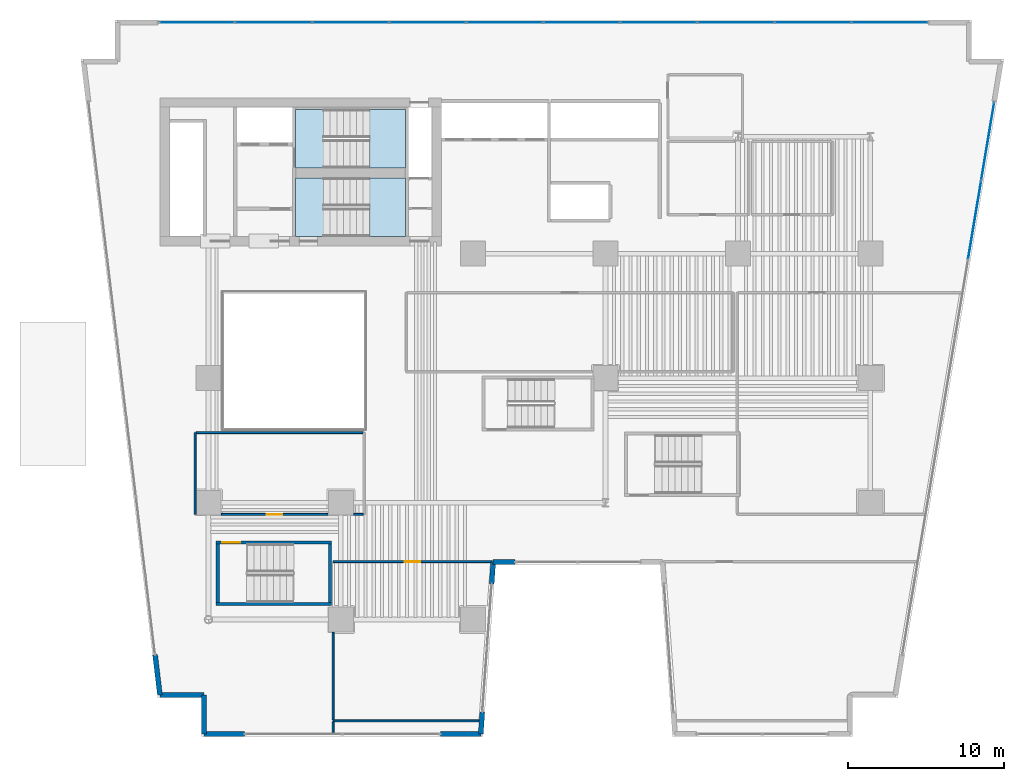
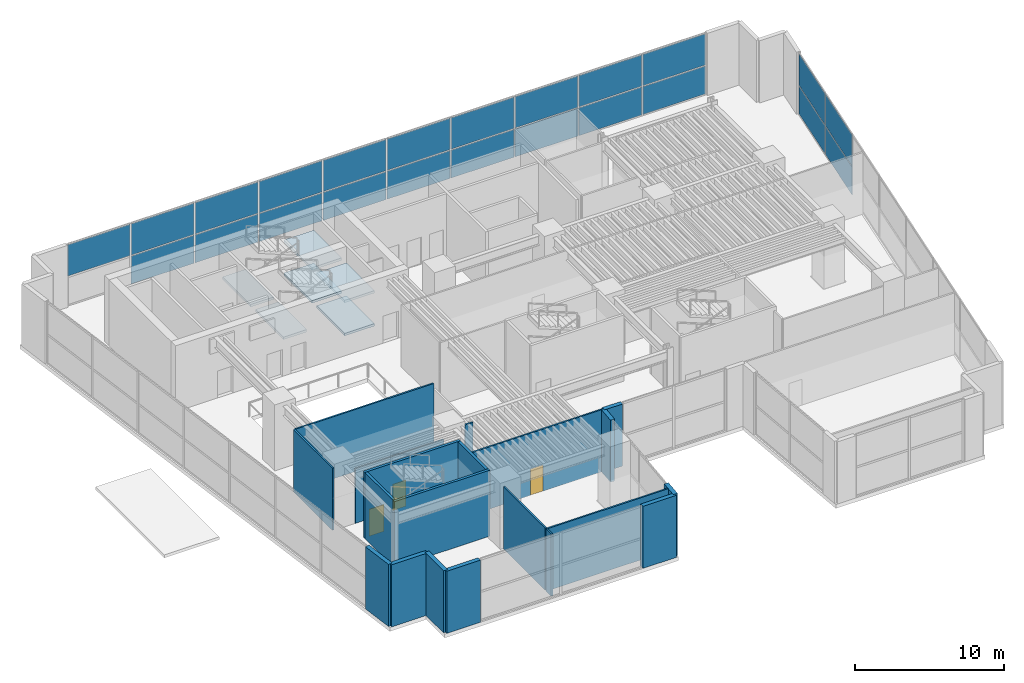
# One storey, part 9 of 17: 23 plates, 20 walls, 6 slabs, 3 doors, 3 openings, 4 elements without a shape of their own.
"""IFC4 building model written with IfcOpenShell, lengths in metres."""

import ifcopenshell
import ifcopenshell.guid

model = None  # the IFC model being written
_history = None  # IfcOwnerHistory: only IFC2X3 demands one
_inside = {}  # id of a spatial element -> (the spatial element, [elements in it])
_under = {}  # id of a project, library or spatial element -> (it, [spatial elements below it])
_declared = {}  # id of a project -> (the project, [libraries it declares])
_typed = {}  # id of a type object -> (the type object, [elements of that type])
_made_of = {}  # id of a material, layer set ... -> (it, [elements and type objects made of it])


def new_model(schema):
    """Start an empty IFC model of exactly this schema.

    Asked for "IFC4X3", IfcOpenShell would pick the latest addendum, in which some entities
    have other attributes; the version numbers below select the first issue.
    IFC2X3 requires an IfcOwnerHistory on every rooted entity: one is made here for all.
    """
    global model, _history
    if schema == "IFC4X3":
        model = ifcopenshell.file(schema_version=(4, 3, 0, 0))
    else:
        model = ifcopenshell.file(schema=schema)
    _inside.clear()
    _under.clear()
    _declared.clear()
    _typed.clear()
    _made_of.clear()
    _history = None
    if model.schema == "IFC2X3":
        org = make("IfcOrganization", Name="unknown")
        user = make(
            "IfcPersonAndOrganization",
            ThePerson=make("IfcPerson", FamilyName="unknown"),
            TheOrganization=org,
        )
        app = make(
            "IfcApplication",
            ApplicationDeveloper=org,
            Version="unknown",
            ApplicationFullName="unknown",
            ApplicationIdentifier="unknown",
        )
        _history = make(
            "IfcOwnerHistory",
            OwningUser=user,
            OwningApplication=app,
            ChangeAction="ADDED",
            CreationDate=0,
        )
    return model


def make(cls, **values):
    """One entity of the class cls with the attributes given. An attribute that is None is left unset."""
    return model.create_entity(
        cls, **{name: value for name, value in values.items() if value is not None}
    )


def rooted(cls, **values):
    """An entity with a GlobalId (a new one), such as an element, a storey or a relation."""
    return make(cls, GlobalId=ifcopenshell.guid.new(), OwnerHistory=_history, **values)


def si_unit(unit_type, name, prefix=None):
    """IfcSIUnit, for example si_unit("LENGTHUNIT", "METRE", prefix="MILLI")."""
    return make("IfcSIUnit", UnitType=unit_type, Prefix=prefix, Name=name)


def assignment(units):
    """IfcUnitAssignment: the units of a project."""
    return None if units is None else make("IfcUnitAssignment", Units=units)


def point(xyz):
    """IfcCartesianPoint."""
    return None if xyz is None else make("IfcCartesianPoint", Coordinates=xyz)


def direction(xyz):
    """IfcDirection."""
    return None if xyz is None else make("IfcDirection", DirectionRatios=xyz)


def frame(location, z_axis=None, x_axis=None):
    """IfcAxis2Placement3D, a coordinate frame: its origin and axes. An axis left out is left unset."""
    return make(
        "IfcAxis2Placement3D",
        Location=point(location),
        Axis=direction(z_axis),
        RefDirection=direction(x_axis),
    )


def frame_2d(location, x_axis=None):
    """IfcAxis2Placement2D, a coordinate frame in the plane: its origin and x axis."""
    return make(
        "IfcAxis2Placement2D", Location=point(location), RefDirection=direction(x_axis)
    )


def origin():
    """The frame at (0, 0, 0) with its axes left unset."""
    return frame((0.0, 0.0, 0.0))


def origin_2d():
    """The frame at (0, 0) in the plane with its x axis left unset."""
    return frame_2d((0.0, 0.0))


def place(relative_to, where):
    """IfcLocalPlacement: puts the frame where relative to a parent placement (None: the world)."""
    return make(
        "IfcLocalPlacement", PlacementRelTo=relative_to, RelativePlacement=where
    )


def context(
    kind, dimensions, precision=None, world=None, true_north=None, identifier=None
):
    """IfcGeometricRepresentationContext, for example the 3D "Model" context."""
    return make(
        "IfcGeometricRepresentationContext",
        ContextIdentifier=identifier,
        ContextType=kind,
        CoordinateSpaceDimension=dimensions,
        Precision=precision,
        WorldCoordinateSystem=world,
        TrueNorth=true_north,
    )


def subcontext(parent, identifier, kind, view, scale=None):
    """IfcGeometricRepresentationSubContext, for example "Body" below "Model"."""
    return make(
        "IfcGeometricRepresentationSubContext",
        ContextIdentifier=identifier,
        ContextType=kind,
        ParentContext=parent,
        TargetScale=scale,
        TargetView=view,
    )


def project(units=None, contexts=None):
    """IfcProject with its units and contexts."""
    return rooted(
        "IfcProject",
        Name="project",
        RepresentationContexts=contexts,
        UnitsInContext=assignment(units),
    )


def spatial(cls, under=None, at=None, **own):
    """A site, building, storey or space (cls), placed at a placement, below another one or the project."""
    s = rooted(cls, ObjectPlacement=at, **own)
    if under is not None:
        _under.setdefault(under.id(), (under, []))[1].append(s)
    return s


def polyline(points):
    """IfcPolyline through the points."""
    return make("IfcPolyline", Points=[point(p) for p in points])


def profile(cls, at=None, kind="AREA", **sizes):
    """A parametric profile (cls). Its sizes go by their IFC names, for example OverallWidth=200.0."""
    return make(cls, ProfileType=kind, Position=at, **sizes)


def rectangle(**sizes):
    """IfcRectangleProfileDef."""
    return profile("IfcRectangleProfileDef", **sizes)


def outline(outer, holes=None, kind="AREA"):
    """IfcArbitraryClosedProfileDef: a profile drawn as a closed curve; with holes, ...WithVoids."""
    if holes is None:
        return make("IfcArbitraryClosedProfileDef", ProfileType=kind, OuterCurve=outer)
    return make(
        "IfcArbitraryProfileDefWithVoids",
        ProfileType=kind,
        OuterCurve=outer,
        InnerCurves=holes,
    )


def extrude(swept, where, along, depth):
    """IfcExtrudedAreaSolid: the profile swept, set in the frame where, extruded along a direction by depth."""
    return make(
        "IfcExtrudedAreaSolid",
        SweptArea=swept,
        Position=where,
        ExtrudedDirection=direction(along),
        Depth=depth,
    )


def shape(context_of_items, identifier, shape_type, items):
    """IfcShapeRepresentation: the items that make up one representation, for example the "Body"."""
    return make(
        "IfcShapeRepresentation",
        ContextOfItems=context_of_items,
        RepresentationIdentifier=identifier,
        RepresentationType=shape_type,
        Items=items,
    )


def material(Name=None, Category=None):
    """IfcMaterial."""
    return make("IfcMaterial", Name=Name, Category=Category)


def layer(
    of_material, thickness, ventilated=None, Name=None, Category=None, Priority=None
):
    """IfcMaterialLayer: one layer of a wall or slab, of a material (None: an air gap)."""
    return make(
        "IfcMaterialLayer",
        Material=of_material,
        LayerThickness=thickness,
        IsVentilated=ventilated,
        Name=Name,
        Category=Category,
        Priority=Priority,
    )


def layer_set(layers, Name=None):
    """IfcMaterialLayerSet."""
    return make("IfcMaterialLayerSet", MaterialLayers=layers, LayerSetName=Name)


def made_of(thing, what):
    """Note that an element or type object is made of a material, layer set ...; save() writes the relation."""
    if what is not None:
        _made_of.setdefault(what.id(), (what, []))[1].append(thing)
    return thing


def type_object(cls, material=None, **own):
    """A type object (cls), such as IfcWallType, which elements share."""
    return made_of(rooted(cls, **own), material)


def element(
    cls,
    number,
    at=None,
    inside=None,
    cuts=None,
    type_object=None,
    material=None,
    context=None,
    identifier="Body",
    shape_type=None,
    held_by="IfcProductDefinitionShape",
    body=None,
    shapes=None,
    **own,
):
    """One element of the class cls, such as IfcWall. Its Tag is "e" and its number.

    at: its placement. inside: the storey or other place that contains it. cuts: it is an
    opening in that element (IfcRelVoidsElement). A single representation is given by context,
    identifier, shape_type and body (its items); several are given by shapes. held_by: the class
    of the entity that holds the representations. save() writes the other relations.
    """
    e = rooted(cls, Tag="e%d" % number, ObjectPlacement=at, **own)
    if body is not None:
        shapes = [shape(context, identifier, shape_type, body)]
    if shapes is not None:
        e.Representation = make(held_by, Representations=shapes)
    if inside is not None:
        _inside.setdefault(inside.id(), (inside, []))[1].append(e)
    if cuts is not None:
        rooted(
            "IfcRelVoidsElement", RelatingBuildingElement=cuts, RelatedOpeningElement=e
        )
    if type_object is not None:
        _typed.setdefault(type_object.id(), (type_object, []))[1].append(e)
    return made_of(e, material)


def fill(opening, filler):
    """IfcRelFillsElement: the door or window that sits in an opening."""
    return rooted(
        "IfcRelFillsElement",
        RelatingOpeningElement=opening,
        RelatedBuildingElement=filler,
    )


def aggregate(whole, parts):
    """IfcRelAggregates: a whole, such as a stair, and the parts it consists of."""
    return rooted("IfcRelAggregates", RelatingObject=whole, RelatedObjects=parts)


def save(model, path):
    """Write the relations noted so far, then the file.

    IfcRelAggregates (storeys below a building ...), IfcRelContainedInSpatialStructure (elements
    in a storey), IfcRelDefinesByType, IfcRelAssociatesMaterial and IfcRelDeclares: one each for
    every whole, place, type object, material and project.
    """
    for whole, parts in _under.values():
        aggregate(whole, parts)
    for where, things in _inside.values():
        rooted(
            "IfcRelContainedInSpatialStructure",
            RelatedElements=things,
            RelatingStructure=where,
        )
    for kind, things in _typed.values():
        rooted("IfcRelDefinesByType", RelatedObjects=things, RelatingType=kind)
    for what, things in _made_of.values():
        rooted("IfcRelAssociatesMaterial", RelatedObjects=things, RelatingMaterial=what)
    for by, libraries in _declared.values():
        rooted("IfcRelDeclares", RelatingContext=by, RelatedDefinitions=libraries)
    model.write(path)


model = new_model("IFC4")

# Units and contexts
model_context = context("Model", 3, precision=1e-05, world=origin(), true_north=direction((0.0, 1.0)))
body_context = subcontext(model_context, "Body", "Model", "MODEL_VIEW")
ifc_project = project(units=[si_unit("LENGTHUNIT", "METRE"), si_unit("AREAUNIT", "SQUARE_METRE"), si_unit("VOLUMEUNIT", "CUBIC_METRE"), si_unit("PLANEANGLEUNIT", "RADIAN"), si_unit("MASSUNIT", "GRAM", prefix="KILO")], contexts=[model_context])

# Site, building, storey
site_placement = place(None, origin())
site = spatial("IfcSite", under=ifc_project, at=site_placement, CompositionType="ELEMENT")
building_placement = place(site_placement, origin())
building = spatial("IfcBuilding", under=site, at=building_placement, Name="Caeloran Harvest Quay", CompositionType="ELEMENT")
storey_placement = place(building_placement, frame((0.0, 0.0, 5.39990234375)))
storey = spatial("IfcBuildingStorey", under=building, at=storey_placement, Name="L02", CompositionType="ELEMENT", Elevation=5.39990234375)

# Curtain wall, plates
ifc_material_1 = material(Name="Aluminium 6063-T6 and Low-E Glazing", Category="aluminium")
ifc_layer_1 = layer(ifc_material_1, 0.179931640625, Name="Aluminium 6063-T6 and Low-E Glazing")
ifc_layer_set_1 = layer_set([ifc_layer_1], Name="Aluminium 6063-T6 and Low-E Glazing")
curtain_wall_type = type_object("IfcCurtainWallType", Name="CW-SYS-CW-1", PredefinedType="USERDEFINED", material=ifc_layer_set_1)
curtain_wall_1_placement = place(storey_placement, origin())
curtain_wall_1 = element("IfcCurtainWall", 1, at=curtain_wall_1_placement, inside=storey, type_object=curtain_wall_type, Name="L02 Unitised Curtain Wall CW-1 Run 6", ObjectType="CURTAIN_WALL", PredefinedType="USERDEFINED")
ifc_material_2 = material(Name="Low-E Double Glazed Vision Glass Unit", Category="glass")
ifc_layer_2 = layer(ifc_material_2, 0.035888671875, Name="Low-E Double Glazed Vision Glass Unit")
ifc_layer_set_2 = layer_set([ifc_layer_2], Name="Low-E Double Glazed Vision Glass Unit")
plate_type = type_object("IfcPlateType", Name="CW-VISION-PANEL", PredefinedType="CURTAIN_PANEL", material=ifc_layer_set_2)
plate_1_placement = place(storey_placement, frame((7.75390625, 45.840087890625, 2.440185546875), z_axis=(0.0, 0.0, 1.0), x_axis=(1.0, 0.0, 0.0)))
plate_1 = element("IfcPlate", 2, at=plate_1_placement, type_object=plate_type, Name="CW-1 panel 1.2", PredefinedType="CURTAIN_PANEL", context=body_context, shape_type="SweptSolid", body=[
    extrude(rectangle(XDim=4.827880859375, YDim=0.035888671875, at=origin_2d()), origin(), (0.0, 0.0, 1.0), 2.56005859375),
])
plate_2_placement = place(storey_placement, frame((12.681884765625, 45.840087890625, 0.080078125), z_axis=(0.0, 0.0, 1.0), x_axis=(1.0, 0.0, 0.0)))
plate_2 = element("IfcPlate", 3, at=plate_2_placement, type_object=plate_type, Name="CW-1 panel 2.1", PredefinedType="CURTAIN_PANEL", context=body_context, shape_type="SweptSolid", body=[
    extrude(rectangle(XDim=4.867919921875, YDim=0.035888671875, at=origin_2d()), origin(), (0.0, 0.0, 1.0), 2.280029296875),
])
plate_3_placement = place(storey_placement, frame((12.681884765625, 45.840087890625, 2.440185546875), z_axis=(0.0, 0.0, 1.0), x_axis=(1.0, 0.0, 0.0)))
plate_3 = element("IfcPlate", 4, at=plate_3_placement, type_object=plate_type, Name="CW-1 panel 2.2", PredefinedType="CURTAIN_PANEL", context=body_context, shape_type="SweptSolid", body=[
    extrude(rectangle(XDim=4.867919921875, YDim=0.035888671875, at=origin_2d()), origin(), (0.0, 0.0, 1.0), 2.56005859375),
])
plate_4_placement = place(storey_placement, frame((17.6298828125, 45.840087890625, 0.080078125), z_axis=(0.0, 0.0, 1.0), x_axis=(1.0, 0.0, 0.0)))
plate_4 = element("IfcPlate", 5, at=plate_4_placement, type_object=plate_type, Name="CW-1 panel 3.1", PredefinedType="CURTAIN_PANEL", context=body_context, shape_type="SweptSolid", body=[
    extrude(rectangle(XDim=4.867919921875, YDim=0.035888671875, at=origin_2d()), origin(), (0.0, 0.0, 1.0), 2.280029296875),
])
plate_5_placement = place(storey_placement, frame((17.6298828125, 45.840087890625, 2.440185546875), z_axis=(0.0, 0.0, 1.0), x_axis=(1.0, 0.0, 0.0)))
plate_5 = element("IfcPlate", 6, at=plate_5_placement, type_object=plate_type, Name="CW-1 panel 3.2", PredefinedType="CURTAIN_PANEL", context=body_context, shape_type="SweptSolid", body=[
    extrude(rectangle(XDim=4.867919921875, YDim=0.035888671875, at=origin_2d()), origin(), (0.0, 0.0, 1.0), 2.56005859375),
])
plate_6_placement = place(storey_placement, frame((22.577880859375, 45.840087890625, 0.080078125), z_axis=(0.0, 0.0, 1.0), x_axis=(1.0, 0.0, 0.0)))
plate_6 = element("IfcPlate", 7, at=plate_6_placement, type_object=plate_type, Name="CW-1 panel 4.1", PredefinedType="CURTAIN_PANEL", context=body_context, shape_type="SweptSolid", body=[
    extrude(rectangle(XDim=4.867919921875, YDim=0.035888671875, at=origin_2d()), origin(), (0.0, 0.0, 1.0), 2.280029296875),
])
plate_7_placement = place(storey_placement, frame((22.577880859375, 45.840087890625, 2.440185546875), z_axis=(0.0, 0.0, 1.0), x_axis=(1.0, 0.0, 0.0)))
plate_7 = element("IfcPlate", 8, at=plate_7_placement, type_object=plate_type, Name="CW-1 panel 4.2", PredefinedType="CURTAIN_PANEL", context=body_context, shape_type="SweptSolid", body=[
    extrude(rectangle(XDim=4.867919921875, YDim=0.035888671875, at=origin_2d()), origin(), (0.0, 0.0, 1.0), 2.56005859375),
])
plate_8_placement = place(storey_placement, frame((27.52587890625, 45.840087890625, 0.080078125), z_axis=(0.0, 0.0, 1.0), x_axis=(1.0, 0.0, 0.0)))
plate_8 = element("IfcPlate", 9, at=plate_8_placement, type_object=plate_type, Name="CW-1 panel 5.1", PredefinedType="CURTAIN_PANEL", context=body_context, shape_type="SweptSolid", body=[
    extrude(rectangle(XDim=4.867919921875, YDim=0.035888671875, at=origin_2d()), origin(), (0.0, 0.0, 1.0), 2.280029296875),
])
plate_9_placement = place(storey_placement, frame((27.52587890625, 45.840087890625, 2.440185546875), z_axis=(0.0, 0.0, 1.0), x_axis=(1.0, 0.0, 0.0)))
plate_9 = element("IfcPlate", 10, at=plate_9_placement, type_object=plate_type, Name="CW-1 panel 5.2", PredefinedType="CURTAIN_PANEL", context=body_context, shape_type="SweptSolid", body=[
    extrude(rectangle(XDim=4.867919921875, YDim=0.035888671875, at=origin_2d()), origin(), (0.0, 0.0, 1.0), 2.56005859375),
])
plate_10_placement = place(storey_placement, frame((32.47412109375, 45.840087890625, 0.080078125), z_axis=(0.0, 0.0, 1.0), x_axis=(1.0, 0.0, 0.0)))
plate_10 = element("IfcPlate", 11, at=plate_10_placement, type_object=plate_type, Name="CW-1 panel 6.1", PredefinedType="CURTAIN_PANEL", context=body_context, shape_type="SweptSolid", body=[
    extrude(rectangle(XDim=4.867919921875, YDim=0.035888671875, at=origin_2d()), origin(), (0.0, 0.0, 1.0), 2.280029296875),
])
plate_11_placement = place(storey_placement, frame((32.47412109375, 45.840087890625, 2.440185546875), z_axis=(0.0, 0.0, 1.0), x_axis=(1.0, 0.0, 0.0)))
plate_11 = element("IfcPlate", 12, at=plate_11_placement, type_object=plate_type, Name="CW-1 panel 6.2", PredefinedType="CURTAIN_PANEL", context=body_context, shape_type="SweptSolid", body=[
    extrude(rectangle(XDim=4.867919921875, YDim=0.035888671875, at=origin_2d()), origin(), (0.0, 0.0, 1.0), 2.56005859375),
])
plate_12_placement = place(storey_placement, frame((37.422119140625, 45.840087890625, 0.080078125), z_axis=(0.0, 0.0, 1.0), x_axis=(1.0, 0.0, 0.0)))
plate_12 = element("IfcPlate", 13, at=plate_12_placement, type_object=plate_type, Name="CW-1 panel 7.1", PredefinedType="CURTAIN_PANEL", context=body_context, shape_type="SweptSolid", body=[
    extrude(rectangle(XDim=4.867919921875, YDim=0.035888671875, at=origin_2d()), origin(), (0.0, 0.0, 1.0), 2.280029296875),
])
plate_13_placement = place(storey_placement, frame((37.422119140625, 45.840087890625, 2.440185546875), z_axis=(0.0, 0.0, 1.0), x_axis=(1.0, 0.0, 0.0)))
plate_13 = element("IfcPlate", 14, at=plate_13_placement, type_object=plate_type, Name="CW-1 panel 7.2", PredefinedType="CURTAIN_PANEL", context=body_context, shape_type="SweptSolid", body=[
    extrude(rectangle(XDim=4.867919921875, YDim=0.035888671875, at=origin_2d()), origin(), (0.0, 0.0, 1.0), 2.56005859375),
])
plate_14_placement = place(storey_placement, frame((42.3701171875, 45.840087890625, 0.080078125), z_axis=(0.0, 0.0, 1.0), x_axis=(1.0, 0.0, 0.0)))
plate_14 = element("IfcPlate", 15, at=plate_14_placement, type_object=plate_type, Name="CW-1 panel 8.1", PredefinedType="CURTAIN_PANEL", context=body_context, shape_type="SweptSolid", body=[
    extrude(rectangle(XDim=4.867919921875, YDim=0.035888671875, at=origin_2d()), origin(), (0.0, 0.0, 1.0), 2.280029296875),
])
plate_15_placement = place(storey_placement, frame((42.3701171875, 45.840087890625, 2.440185546875), z_axis=(0.0, 0.0, 1.0), x_axis=(1.0, 0.0, 0.0)))
plate_15 = element("IfcPlate", 16, at=plate_15_placement, type_object=plate_type, Name="CW-1 panel 8.2", PredefinedType="CURTAIN_PANEL", context=body_context, shape_type="SweptSolid", body=[
    extrude(rectangle(XDim=4.867919921875, YDim=0.035888671875, at=origin_2d()), origin(), (0.0, 0.0, 1.0), 2.56005859375),
])
plate_16_placement = place(storey_placement, frame((47.318115234375, 45.840087890625, 0.080078125), z_axis=(0.0, 0.0, 1.0), x_axis=(1.0, 0.0, 0.0)))
plate_16 = element("IfcPlate", 17, at=plate_16_placement, type_object=plate_type, Name="CW-1 panel 9.1", PredefinedType="CURTAIN_PANEL", context=body_context, shape_type="SweptSolid", body=[
    extrude(rectangle(XDim=4.867919921875, YDim=0.035888671875, at=origin_2d()), origin(), (0.0, 0.0, 1.0), 2.280029296875),
])
plate_17_placement = place(storey_placement, frame((47.318115234375, 45.840087890625, 2.440185546875), z_axis=(0.0, 0.0, 1.0), x_axis=(1.0, 0.0, 0.0)))
plate_17 = element("IfcPlate", 18, at=plate_17_placement, type_object=plate_type, Name="CW-1 panel 9.2", PredefinedType="CURTAIN_PANEL", context=body_context, shape_type="SweptSolid", body=[
    extrude(rectangle(XDim=4.867919921875, YDim=0.035888671875, at=origin_2d()), origin(), (0.0, 0.0, 1.0), 2.56005859375),
])
plate_18_placement = place(storey_placement, frame((52.24609375, 45.840087890625, 0.080078125), z_axis=(0.0, 0.0, 1.0), x_axis=(1.0, 0.0, 0.0)))
plate_18 = element("IfcPlate", 19, at=plate_18_placement, type_object=plate_type, Name="CW-1 panel 10.1", PredefinedType="CURTAIN_PANEL", context=body_context, shape_type="SweptSolid", body=[
    extrude(rectangle(XDim=4.827880859375, YDim=0.035888671875, at=origin_2d()), origin(), (0.0, 0.0, 1.0), 2.280029296875),
])
plate_19_placement = place(storey_placement, frame((52.24609375, 45.840087890625, 2.440185546875), z_axis=(0.0, 0.0, 1.0), x_axis=(1.0, 0.0, 0.0)))
plate_19 = element("IfcPlate", 20, at=plate_19_placement, type_object=plate_type, Name="CW-1 panel 10.2", PredefinedType="CURTAIN_PANEL", context=body_context, shape_type="SweptSolid", body=[
    extrude(rectangle(XDim=4.827880859375, YDim=0.035888671875, at=origin_2d()), origin(), (0.0, 0.0, 1.0), 2.56005859375),
])
aggregate(curtain_wall_1, [plate_1, plate_2, plate_3, plate_4, plate_5, plate_6, plate_7, plate_8, plate_9, plate_10, plate_11, plate_12, plate_13, plate_14, plate_15, plate_16, plate_17, plate_18, plate_19])

curtain_wall_2_placement = place(storey_placement, origin())
curtain_wall_2 = element("IfcCurtainWall", 21, at=curtain_wall_2_placement, inside=storey, type_object=curtain_wall_type, Name="L02 Unitised Curtain Wall CW-1 Run 9", ObjectType="CURTAIN_WALL", PredefinedType="USERDEFINED")
plate_20_placement = place(storey_placement, frame((58.542236328125, 38.21630859375, 0.080078125), z_axis=(0.0, 0.0, 1.0), x_axis=(-0.164174905304, -0.986431244674, 0.0)))
plate_20 = element("IfcPlate", 22, at=plate_20_placement, type_object=plate_type, Name="CW-1 panel 1.1", PredefinedType="CURTAIN_PANEL", context=body_context, shape_type="SweptSolid", body=[
    extrude(rectangle(XDim=5.028564453125, YDim=0.035888671875, at=origin_2d()), origin(), (0.0, 0.0, 1.0), 2.280029296875),
])
plate_21_placement = place(storey_placement, frame((58.542236328125, 38.21630859375, 2.440185546875), z_axis=(0.0, 0.0, 1.0), x_axis=(-0.164174905304, -0.986431244674, 0.0)))
plate_21 = element("IfcPlate", 23, at=plate_21_placement, type_object=plate_type, Name="CW-1 panel 1.2", PredefinedType="CURTAIN_PANEL", context=body_context, shape_type="SweptSolid", body=[
    extrude(rectangle(XDim=5.028564453125, YDim=0.035888671875, at=origin_2d()), origin(), (0.0, 0.0, 1.0), 2.56005859375),
])
plate_22_placement = place(storey_placement, frame((57.7001953125, 33.1572265625, 0.080078125), z_axis=(0.0, 0.0, 1.0), x_axis=(-0.164174905304, -0.986431244674, 0.0)))
plate_22 = element("IfcPlate", 24, at=plate_22_placement, type_object=plate_type, Name="CW-1 panel 2.1", PredefinedType="CURTAIN_PANEL", context=body_context, shape_type="SweptSolid", body=[
    extrude(rectangle(XDim=5.068603515625, YDim=0.035888671875, at=origin_2d()), origin(), (0.0, 0.0, 1.0), 2.280029296875),
])
plate_23_placement = place(storey_placement, frame((57.7001953125, 33.1572265625, 2.440185546875), z_axis=(0.0, 0.0, 1.0), x_axis=(-0.164174905304, -0.986431244674, 0.0)))
plate_23 = element("IfcPlate", 25, at=plate_23_placement, type_object=plate_type, Name="CW-1 panel 2.2", PredefinedType="CURTAIN_PANEL", context=body_context, shape_type="SweptSolid", body=[
    extrude(rectangle(XDim=5.068603515625, YDim=0.035888671875, at=origin_2d()), origin(), (0.0, 0.0, 1.0), 2.56005859375),
])
aggregate(curtain_wall_2, [plate_20, plate_21, plate_22, plate_23])

# Stair, slabs
ifc_material_3 = material(Name="Concrete C50/60", Category="concrete")
stair_type = type_object("IfcStairType", Name="STAIR-STC-180", PredefinedType="HALF_TURN_STAIR", material=ifc_material_3)
stair_1_placement = place(storey_placement, origin())
stair_1 = element("IfcStair", 26, at=stair_1_placement, inside=storey, type_object=stair_type, Name="L02 Core Pressurized Exit Stair ST-C1", PredefinedType="HALF_TURN_STAIR")
ifc_layer_3 = layer(ifc_material_3, 0.219970703125, Name="Concrete C50/60")
ifc_layer_set_3 = layer_set([ifc_layer_3], Name="Concrete C50/60")
slab_type = type_object("IfcSlabType", Name="STAIR-LANDING-220", PredefinedType="LANDING", material=ifc_layer_set_3)
slab_1_placement = place(storey_placement, frame((0.0, 0.0, 1.150146484375)))
slab_1 = element("IfcSlab", 27, at=slab_1_placement, type_object=slab_type, Name="ST-C1 landing 1", PredefinedType="LANDING", context=body_context, shape_type="SweptSolid", body=[
    extrude(outline(polyline([(18.840087890625, 36.5), (21.14990234375, 36.5), (21.14990234375, 40.25), (18.840087890625, 40.25), (18.840087890625, 36.5)])), origin(), (0.0, 0.0, 1.0), 0.199951171875),
])
slab_2_placement = place(storey_placement, frame((0.0, 0.0, 2.5)))
slab_2 = element("IfcSlab", 28, at=slab_2_placement, type_object=slab_type, Name="ST-C1 landing 2", PredefinedType="LANDING", context=body_context, shape_type="SweptSolid", body=[
    extrude(outline(polyline([(14.10009765625, 36.5), (15.89990234375, 36.5), (15.89990234375, 40.25), (14.10009765625, 40.25), (14.10009765625, 36.5)])), origin(), (0.0, 0.0, 1.0), 0.2001953125),
])
slab_3_placement = place(storey_placement, frame((0.0, 0.0, 3.85009765625)))
slab_3 = element("IfcSlab", 29, at=slab_3_placement, type_object=slab_type, Name="ST-C1 landing 3", PredefinedType="LANDING", context=body_context, shape_type="SweptSolid", body=[
    extrude(outline(polyline([(18.840087890625, 36.5), (21.14990234375, 36.5), (21.14990234375, 40.25), (18.840087890625, 40.25), (18.840087890625, 36.5)])), origin(), (0.0, 0.0, 1.0), 0.199951171875),
])
aggregate(stair_1, [slab_1, slab_2, slab_3])

stair_2_placement = place(storey_placement, origin())
stair_2 = element("IfcStair", 30, at=stair_2_placement, inside=storey, type_object=stair_type, Name="L02 Core Pressurized Exit Stair ST-C2", PredefinedType="HALF_TURN_STAIR")
slab_4_placement = place(storey_placement, frame((0.0, 0.0, 1.150146484375)))
slab_4 = element("IfcSlab", 31, at=slab_4_placement, type_object=slab_type, Name="ST-C2 landing 1", PredefinedType="LANDING", context=body_context, shape_type="SweptSolid", body=[
    extrude(outline(polyline([(18.840087890625, 32.10009765625), (21.14990234375, 32.10009765625), (21.14990234375, 35.85009765625), (18.840087890625, 35.85009765625), (18.840087890625, 32.10009765625)])), origin(), (0.0, 0.0, 1.0), 0.199951171875),
])
slab_5_placement = place(storey_placement, frame((0.0, 0.0, 2.5)))
slab_5 = element("IfcSlab", 32, at=slab_5_placement, type_object=slab_type, Name="ST-C2 landing 2", PredefinedType="LANDING", context=body_context, shape_type="SweptSolid", body=[
    extrude(outline(polyline([(14.10009765625, 32.10009765625), (15.89990234375, 32.10009765625), (15.89990234375, 35.85009765625), (14.10009765625, 35.85009765625), (14.10009765625, 32.10009765625)])), origin(), (0.0, 0.0, 1.0), 0.2001953125),
])
slab_6_placement = place(storey_placement, frame((0.0, 0.0, 3.85009765625)))
slab_6 = element("IfcSlab", 33, at=slab_6_placement, type_object=slab_type, Name="ST-C2 landing 3", PredefinedType="LANDING", context=body_context, shape_type="SweptSolid", body=[
    extrude(outline(polyline([(18.840087890625, 32.10009765625), (21.14990234375, 32.10009765625), (21.14990234375, 35.85009765625), (18.840087890625, 35.85009765625), (18.840087890625, 32.10009765625)])), origin(), (0.0, 0.0, 1.0), 0.199951171875),
])
aggregate(stair_2, [slab_4, slab_5, slab_6])

# Walls
ifc_material_4 = material(Name="Precast concrete C50/60", Category="concrete")
ifc_layer_4 = layer(ifc_material_4, 0.320068359375, Name="Precast concrete C50/60")
ifc_layer_set_4 = layer_set([ifc_layer_4], Name="Precast concrete C50/60")
wall_type_1 = type_object("IfcWallType", Name="ENV-WALL-EW-320", PredefinedType="STANDARD", material=ifc_layer_set_4)
wall_1_placement = place(storey_placement, frame((8.2041015625, 0.159912109375, 0.0), z_axis=(0.0, 0.0, 1.0), x_axis=(0.0, 1.0, 0.0)))
element("IfcWall", 34, at=wall_1_placement, inside=storey, type_object=wall_type_1, Name="L02 Exterior Precast Concrete Facade Wall 1", PredefinedType="STANDARD", context=body_context, shape_type="SweptSolid", body=[
    extrude(rectangle(XDim=2.5, YDim=0.320068359375, at=frame_2d((1.25, 0.0))), origin(), (0.0, 0.0, 1.0), 5.080078125),
])
wall_2_placement = place(storey_placement, frame((8.2041015625, 2.659912109375, 0.0), z_axis=(0.0, 0.0, 1.0), x_axis=(-1.0, 0.0, 0.0)))
element("IfcWall", 35, at=wall_2_placement, inside=storey, type_object=wall_type_1, Name="L02 Exterior Precast Concrete Facade Wall 2", PredefinedType="STANDARD", context=body_context, shape_type="SweptSolid", body=[
    extrude(rectangle(XDim=2.819580078125, YDim=0.320068359375, at=frame_2d((1.40966796875, 0.0))), origin(), (0.0, 0.0, 1.0), 5.080078125),
])
wall_3_placement = place(storey_placement, frame((5.384521484375, 2.659912109375, 0.0), z_axis=(0.0, 0.0, 1.0), x_axis=(-0.119630264411, 0.992818513041, 0.0)))
element("IfcWall", 36, at=wall_3_placement, inside=storey, type_object=wall_type_1, Name="L02 Exterior Facade Corner Pier Wall 3A", PredefinedType="STANDARD", context=body_context, shape_type="SweptSolid", body=[
    extrude(rectangle(XDim=2.599853515625, YDim=0.320068359375, at=frame_2d((1.2998046875, 0.0))), origin(), (0.0, 0.0, 1.0), 5.080078125),
])
wall_4_placement = place(storey_placement, frame((28.187255859375, 11.199951171875, 0.0), z_axis=(0.0, 0.0, 1.0), x_axis=(-1.0, 0.0, 0.0)))
element("IfcWall", 37, at=wall_4_placement, inside=storey, type_object=wall_type_1, Name="L02 Exterior Facade Corner Pier Wall 14B", PredefinedType="STANDARD", context=body_context, shape_type="SweptSolid", body=[
    extrude(rectangle(XDim=1.400146484375, YDim=0.320068359375, at=frame_2d((0.7001953125, 0.0))), origin(), (0.0, 0.0, 1.0), 5.080078125),
])
wall_5_placement = place(storey_placement, frame((26.787109375, 11.199951171875, 0.0), z_axis=(0.0, 0.0, 1.0), x_axis=(-0.072201344972, -0.997390077043, 0.0)))
element("IfcWall", 38, at=wall_5_placement, inside=storey, type_object=wall_type_1, Name="L02 Exterior Facade Corner Pier Wall 15A", PredefinedType="STANDARD", context=body_context, shape_type="SweptSolid", body=[
    extrude(rectangle(XDim=1.39990234375, YDim=0.320068359375, at=frame_2d((0.699951171875, 0.0))), origin(), (0.0, 0.0, 1.0), 5.080078125),
])
wall_6_placement = place(storey_placement, frame((26.08837890625, 1.556396484375, 0.0), z_axis=(0.0, 0.0, 1.0), x_axis=(-0.072188788144, -0.997390985956, 0.0)))
element("IfcWall", 39, at=wall_6_placement, inside=storey, type_object=wall_type_1, Name="L02 Exterior Facade Corner Pier Wall 15B", PredefinedType="STANDARD", context=body_context, shape_type="SweptSolid", body=[
    extrude(rectangle(XDim=1.400146484375, YDim=0.320068359375, at=frame_2d((0.7001953125, 0.0))), origin(), (0.0, 0.0, 1.0), 5.080078125),
])
wall_7_placement = place(storey_placement, frame((25.9873046875, 0.159912109375, 0.0), z_axis=(0.0, 0.0, 1.0), x_axis=(-1.0, 0.0, 0.0)))
element("IfcWall", 40, at=wall_7_placement, inside=storey, type_object=wall_type_1, Name="L02 Exterior Facade Corner Pier Wall 16A", PredefinedType="STANDARD", context=body_context, shape_type="SweptSolid", body=[
    extrude(rectangle(XDim=2.60009765625, YDim=0.320068359375, at=frame_2d((1.300048828125, 0.0))), origin(), (0.0, 0.0, 1.0), 5.080078125),
])
wall_8_placement = place(storey_placement, frame((10.803955078125, 0.159912109375, 0.0), z_axis=(0.0, 0.0, 1.0), x_axis=(-1.0, 0.0, 0.0)))
element("IfcWall", 41, at=wall_8_placement, inside=storey, type_object=wall_type_1, Name="L02 Exterior Facade Corner Pier Wall 16B", PredefinedType="STANDARD", context=body_context, shape_type="SweptSolid", body=[
    extrude(rectangle(XDim=2.599853515625, YDim=0.320068359375, at=frame_2d((1.2998046875, 0.0))), origin(), (0.0, 0.0, 1.0), 5.080078125),
])
ifc_material_5 = material(Name="Twin-Stud Mineral-Wool Acoustic Gypsum Partition", Category="gypsum")
ifc_layer_5 = layer(ifc_material_5, 0.125, Name="Twin-Stud Mineral-Wool Acoustic Gypsum Partition")
ifc_layer_set_5 = layer_set([ifc_layer_5], Name="Twin-Stud Mineral-Wool Acoustic Gypsum Partition")
wall_type_2 = type_object("IfcWallType", Name="INT-WALL-PW-125", PredefinedType="PARTITIONING", material=ifc_layer_set_5)
wall_9_placement = place(storey_placement, frame((18.4326171875, 14.25, 0.0), z_axis=(0.0, 0.0, 1.0), x_axis=(-1.0, 0.0, 0.0)))
element("IfcWall", 42, at=wall_9_placement, inside=storey, type_object=wall_type_2, Name="Harbour Cooked-Food Hall (56 Stalls) Partition Wall", PredefinedType="PARTITIONING", context=body_context, shape_type="SweptSolid", body=[
    extrude(rectangle(XDim=0.607666015625, YDim=0.125, at=frame_2d((0.3037109375, 0.0))), origin(), (0.0, 0.0, 1.0), 5.080078125),
])

# Wall, opening, door
wall_10_placement = place(storey_placement, frame((16.175048828125, 14.25, 0.0), z_axis=(0.0, 0.0, 1.0), x_axis=(-1.0, 0.0, 0.0)))
wall_10 = element("IfcWall", 43, at=wall_10_placement, inside=storey, type_object=wall_type_2, Name="Harbour Cooked-Food Hall (56 Stalls) Partition Wall", PredefinedType="PARTITIONING", context=body_context, shape_type="SweptSolid", body=[
    extrude(rectangle(XDim=6.85009765625, YDim=0.125, at=frame_2d((3.425048828125, 0.0))), origin(), (0.0, 0.0, 1.0), 4.465087890625),
])
opening_1_placement = place(wall_10_placement, frame((2.925048828125, 0.0, 0.0)))
opening_1 = element("IfcOpeningElement", 44, at=opening_1_placement, cuts=wall_10, Name="Opening ID-01", PredefinedType="OPENING", context=body_context, shape_type="SweptSolid", body=[
    extrude(rectangle(XDim=1.0, YDim=2.14990234375, at=frame_2d((0.5, 1.074951171875))), frame((0.0, 0.072509765625, 0.0), z_axis=(0.0, -1.0, 0.0), x_axis=(1.0, 0.0, 0.0)), (0.0, 0.0, 1.0), 0.14501953125),
])
ifc_material_6 = material(Name="FSC Solid-Core Ash Timber and Acoustic Seal", Category="wood")
door_type_1 = type_object("IfcDoorType", Name="INTDOOR-ID-01", OperationType="NOTDEFINED", PredefinedType="DOOR", material=ifc_material_6)
door_1_placement = place(opening_1_placement, origin())
door_1 = element("IfcDoor", 45, at=door_1_placement, inside=storey, type_object=door_type_1, Name="Harbour Cooked-Food Hall (56 Stalls) Access Door", OperationType="SINGLE_SWING_RIGHT", OverallHeight=2.14990234375, OverallWidth=1.0, PredefinedType="DOOR", context=body_context, shape_type="SweptSolid", body=[
    extrude(rectangle(XDim=1.0, YDim=2.14990234375, at=frame_2d((0.5, 1.074951171875))), frame((0.0, 0.02490234375, 0.0), z_axis=(0.0, -1.0, 0.0), x_axis=(1.0, 0.0, 0.0)), (0.0, 0.0, 1.0), 0.050048828125),
])
fill(opening_1, door_1)

# Walls
wall_11_placement = place(storey_placement, frame((7.64990234375, 14.25, 0.0), z_axis=(0.0, 0.0, 1.0), x_axis=(0.0, 1.0, 0.0)))
element("IfcWall", 46, at=wall_11_placement, inside=storey, type_object=wall_type_2, Name="Harbour Cooked-Food Hall (56 Stalls) Partition Wall", PredefinedType="PARTITIONING", context=body_context, shape_type="SweptSolid", body=[
    extrude(rectangle(XDim=5.25, YDim=0.125, at=frame_2d((2.625, 0.0))), origin(), (0.0, 0.0, 1.0), 5.080078125),
])
wall_12_placement = place(storey_placement, frame((7.717529296875, 19.5, 0.0), z_axis=(0.0, 0.0, 1.0), x_axis=(1.0, 0.0, 0.0)))
element("IfcWall", 47, at=wall_12_placement, inside=storey, type_object=wall_type_2, Name="Harbour Cooked-Food Hall (56 Stalls) Partition Wall", PredefinedType="PARTITIONING", context=body_context, shape_type="SweptSolid", body=[
    extrude(rectangle(XDim=10.715087890625, YDim=0.125, at=frame_2d((5.357421875, 0.0))), origin(), (0.0, 0.0, 1.0), 5.080078125),
])
wall_13_placement = place(storey_placement, frame((25.882568359375, 1.0, 0.0), z_axis=(0.0, 0.0, 1.0), x_axis=(-1.0, 0.0, 0.0)))
element("IfcWall", 48, at=wall_13_placement, inside=storey, type_object=wall_type_2, Name="Central Dishwashing and Scullery Kitchen Partition Wall", PredefinedType="PARTITIONING", context=body_context, shape_type="SweptSolid", body=[
    extrude(rectangle(XDim=9.382568359375, YDim=0.125, at=frame_2d((4.69140625, 0.0))), origin(), (0.0, 0.0, 1.0), 5.080078125),
])
wall_14_placement = place(storey_placement, frame((16.5, 0.264892578125, 0.0), z_axis=(0.0, 0.0, 1.0), x_axis=(0.0, 1.0, 0.0)))
element("IfcWall", 49, at=wall_14_placement, inside=storey, type_object=wall_type_2, Name="Central Dishwashing and Scullery Kitchen Partition Wall", PredefinedType="PARTITIONING", context=body_context, shape_type="SweptSolid", body=[
    extrude(rectangle(XDim=0.667724609375, YDim=0.125, at=frame_2d((0.333984375, 0.0))), origin(), (0.0, 0.0, 1.0), 5.080078125),
])
wall_15_placement = place(storey_placement, frame((16.5, 1.0673828125, 0.0), z_axis=(0.0, 0.0, 1.0), x_axis=(0.0, 1.0, 0.0)))
element("IfcWall", 50, at=wall_15_placement, inside=storey, type_object=wall_type_2, Name="Central Dishwashing and Scullery Kitchen Partition Wall", PredefinedType="PARTITIONING", context=body_context, shape_type="SweptSolid", body=[
    extrude(rectangle(XDim=5.607666015625, YDim=0.125, at=frame_2d((2.8037109375, 0.0))), origin(), (0.0, 0.0, 1.0), 5.080078125),
])

# Wall, opening, door
wall_16_placement = place(storey_placement, frame((16.5, 11.219970703125, 0.0), z_axis=(0.0, 0.0, 1.0), x_axis=(1.0, 0.0, 0.0)))
wall_16 = element("IfcWall", 51, at=wall_16_placement, inside=storey, type_object=wall_type_2, Name="Central Dishwashing and Scullery Kitchen Partition Wall", PredefinedType="PARTITIONING", context=body_context, shape_type="SweptSolid", body=[
    extrude(rectangle(XDim=10.212646484375, YDim=0.125, at=frame_2d((5.1064453125, 0.0))), origin(), (0.0, 0.0, 1.0), 5.080078125),
])
opening_2_placement = place(wall_16_placement, frame((4.6064453125, 0.0, 0.0)))
opening_2 = element("IfcOpeningElement", 52, at=opening_2_placement, cuts=wall_16, Name="Opening ID-01", PredefinedType="OPENING", context=body_context, shape_type="SweptSolid", body=[
    extrude(rectangle(XDim=1.0, YDim=2.14990234375, at=frame_2d((0.5, 1.074951171875))), frame((0.0, 0.072509765625, 0.0), z_axis=(0.0, -1.0, 0.0), x_axis=(1.0, 0.0, 0.0)), (0.0, 0.0, 1.0), 0.14501953125),
])
door_2_placement = place(opening_2_placement, origin())
door_2 = element("IfcDoor", 53, at=door_2_placement, inside=storey, type_object=door_type_1, Name="Central Dishwashing and Scullery Kitchen Access Door", OperationType="SINGLE_SWING_LEFT", OverallHeight=2.14990234375, OverallWidth=1.0, PredefinedType="DOOR", context=body_context, shape_type="SweptSolid", body=[
    extrude(rectangle(XDim=1.0, YDim=2.14990234375, at=frame_2d((0.5, 1.074951171875))), frame((0.0, 0.02490234375, 0.0), z_axis=(0.0, -1.0, 0.0), x_axis=(1.0, 0.0, 0.0)), (0.0, 0.0, 1.0), 0.050048828125),
])
fill(opening_2, door_2)

# Wall
ifc_material_7 = material(Name="Concrete C60/75", Category="concrete")
ifc_layer_6 = layer(ifc_material_7, 0.199951171875, Name="Concrete C60/75")
ifc_layer_set_6 = layer_set([ifc_layer_6], Name="Concrete C60/75")
wall_type_3 = type_object("IfcWallType", Name="STR-WALL-SW-200", PredefinedType="SHEAR", material=ifc_layer_set_6)
wall_17_placement = place(storey_placement, frame((9.0, 8.5, 0.0), z_axis=(0.0, 0.0, 1.0), x_axis=(1.0, 0.0, 0.0)))
element("IfcWall", 54, at=wall_17_placement, inside=storey, type_object=wall_type_3, Name="L02 Stair ST-P1 S RC Shaft Shear Wall", PredefinedType="SHEAR", context=body_context, shape_type="SweptSolid", body=[
    extrude(rectangle(XDim=7.39990234375, YDim=0.199951171875, at=frame_2d((3.699951171875, 0.0))), origin(), (0.0, 0.0, 1.0), 5.400146484375),
])

# Wall, opening, door
wall_18_placement = place(storey_placement, frame((9.0, 12.449951171875, 0.0), z_axis=(0.0, 0.0, 1.0), x_axis=(1.0, 0.0, 0.0)))
wall_18 = element("IfcWall", 55, at=wall_18_placement, inside=storey, type_object=wall_type_3, Name="L02 Stair ST-P1 N RC Shaft Shear Wall", PredefinedType="SHEAR", context=body_context, shape_type="SweptSolid", body=[
    extrude(rectangle(XDim=7.39990234375, YDim=0.199951171875, at=frame_2d((3.699951171875, 0.0))), origin(), (0.0, 0.0, 1.0), 5.400146484375),
])
opening_3_placement = place(wall_18_placement, frame((0.3798828125, 0.0, 0.0)))
opening_3 = element("IfcOpeningElement", 56, at=opening_3_placement, cuts=wall_18, Name="Opening SD-01", PredefinedType="OPENING", context=body_context, shape_type="SweptSolid", body=[
    extrude(rectangle(XDim=1.14990234375, YDim=2.199951171875, at=frame_2d((0.574951171875, 1.10009765625))), frame((0.0, 0.10986328125, 0.0), z_axis=(0.0, -1.0, 0.0), x_axis=(1.0, 0.0, 0.0)), (0.0, 0.0, 1.0), 0.219970703125),
])
ifc_material_8 = material(Name="Steel", Category="steel")
door_type_2 = type_object("IfcDoorType", Name="INTDOOR-SD-01", OperationType="NOTDEFINED", PredefinedType="DOOR", material=ifc_material_8)
door_3_placement = place(opening_3_placement, origin())
door_3 = element("IfcDoor", 57, at=door_3_placement, inside=storey, type_object=door_type_2, Name="L02 Protected Exit Stair ST-P1 Fire Door", OperationType="SINGLE_SWING_RIGHT", OverallHeight=2.199951171875, OverallWidth=1.14990234375, PredefinedType="DOOR", context=body_context, shape_type="SweptSolid", body=[
    extrude(rectangle(XDim=1.14990234375, YDim=2.199951171875, at=frame_2d((0.574951171875, 1.10009765625))), frame((0.0, 0.02490234375, 0.0), z_axis=(0.0, -1.0, 0.0), x_axis=(1.0, 0.0, 0.0)), (0.0, 0.0, 1.0), 0.050048828125),
])
fill(opening_3, door_3)

# Walls
for number, where, z_axis, x_axis, name in (
    (58, (9.10009765625, 8.610107421875, 0.0), (0.0, 0.0, 1.0), (0.0, 1.0, 0.0), "L02 Stair ST-P1 W RC Shaft Shear Wall"),
    (59, (16.300048828125, 8.610107421875, 0.0), (0.0, 0.0, 1.0), (0.0, 1.0, 0.0), "L02 Stair ST-P1 E RC Shaft Shear Wall"),
):
    element("IfcWall", number, at=place(storey_placement, frame(where, z_axis=z_axis, x_axis=x_axis)), inside=storey, type_object=wall_type_3, Name=name, PredefinedType="SHEAR", context=body_context, shape_type="SweptSolid", body=[
        extrude(rectangle(XDim=3.72998046875, YDim=0.199951171875, at=frame_2d((1.864990234375, 0.0))), origin(), (0.0, 0.0, 1.0), 5.400146484375),
    ])

save(model, "model.ifc")
